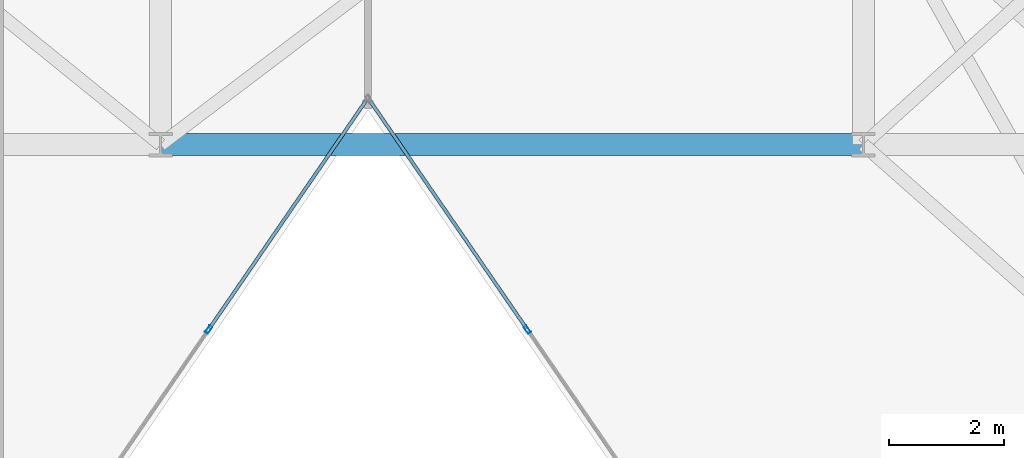
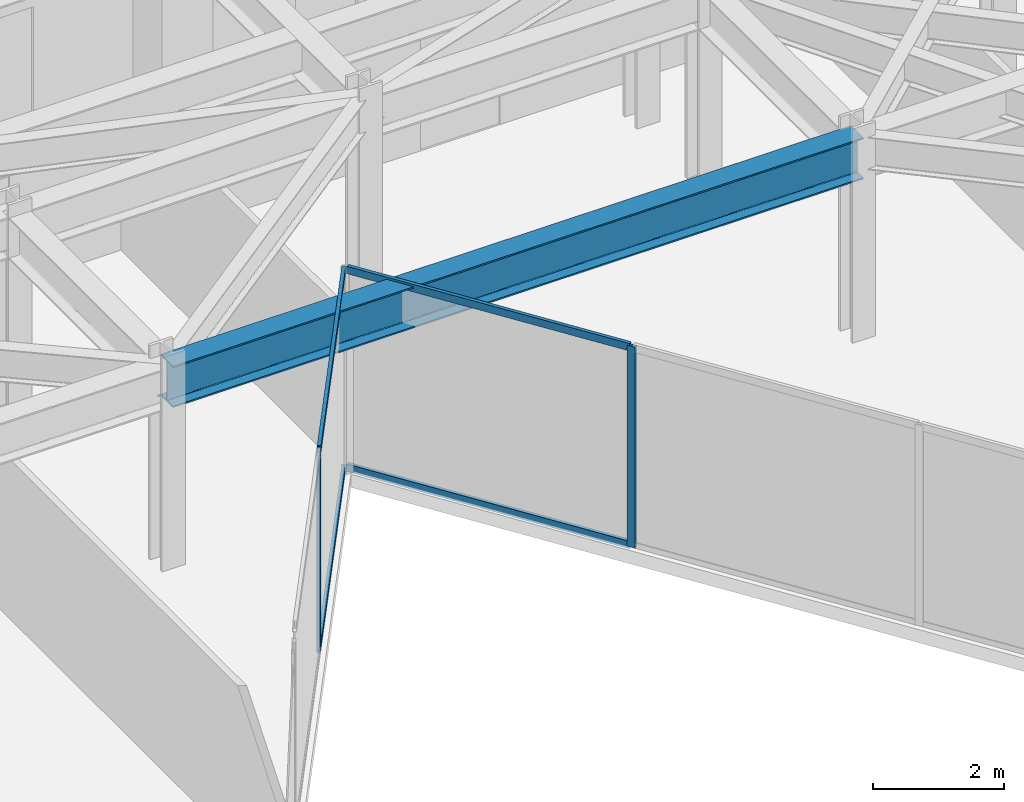
# One storey, part 6 of 21: 6 members, 1 beam, 2 elements without a shape of their own.
"""IFC4 building model written with IfcOpenShell, lengths in metres."""

import ifcopenshell
import ifcopenshell.guid

model = None  # the IFC model being written
_history = None  # IfcOwnerHistory: only IFC2X3 demands one
_inside = {}  # id of a spatial element -> (the spatial element, [elements in it])
_under = {}  # id of a project, library or spatial element -> (it, [spatial elements below it])
_declared = {}  # id of a project -> (the project, [libraries it declares])
_typed = {}  # id of a type object -> (the type object, [elements of that type])
_made_of = {}  # id of a material, layer set ... -> (it, [elements and type objects made of it])


def new_model(schema):
    """Start an empty IFC model of exactly this schema.

    Asked for "IFC4X3", IfcOpenShell would pick the latest addendum, in which some entities
    have other attributes; the version numbers below select the first issue.
    IFC2X3 requires an IfcOwnerHistory on every rooted entity: one is made here for all.
    """
    global model, _history
    if schema == "IFC4X3":
        model = ifcopenshell.file(schema_version=(4, 3, 0, 0))
    else:
        model = ifcopenshell.file(schema=schema)
    _inside.clear()
    _under.clear()
    _declared.clear()
    _typed.clear()
    _made_of.clear()
    _history = None
    if model.schema == "IFC2X3":
        org = make("IfcOrganization", Name="unknown")
        user = make(
            "IfcPersonAndOrganization",
            ThePerson=make("IfcPerson", FamilyName="unknown"),
            TheOrganization=org,
        )
        app = make(
            "IfcApplication",
            ApplicationDeveloper=org,
            Version="unknown",
            ApplicationFullName="unknown",
            ApplicationIdentifier="unknown",
        )
        _history = make(
            "IfcOwnerHistory",
            OwningUser=user,
            OwningApplication=app,
            ChangeAction="ADDED",
            CreationDate=0,
        )
    return model


def make(cls, **values):
    """One entity of the class cls with the attributes given. An attribute that is None is left unset."""
    return model.create_entity(
        cls, **{name: value for name, value in values.items() if value is not None}
    )


def rooted(cls, **values):
    """An entity with a GlobalId (a new one), such as an element, a storey or a relation."""
    return make(cls, GlobalId=ifcopenshell.guid.new(), OwnerHistory=_history, **values)


def si_unit(unit_type, name, prefix=None):
    """IfcSIUnit, for example si_unit("LENGTHUNIT", "METRE", prefix="MILLI")."""
    return make("IfcSIUnit", UnitType=unit_type, Prefix=prefix, Name=name)


def assignment(units):
    """IfcUnitAssignment: the units of a project."""
    return None if units is None else make("IfcUnitAssignment", Units=units)


def point(xyz):
    """IfcCartesianPoint."""
    return None if xyz is None else make("IfcCartesianPoint", Coordinates=xyz)


def direction(xyz):
    """IfcDirection."""
    return None if xyz is None else make("IfcDirection", DirectionRatios=xyz)


def frame(location, z_axis=None, x_axis=None):
    """IfcAxis2Placement3D, a coordinate frame: its origin and axes. An axis left out is left unset."""
    return make(
        "IfcAxis2Placement3D",
        Location=point(location),
        Axis=direction(z_axis),
        RefDirection=direction(x_axis),
    )


def frame_2d(location, x_axis=None):
    """IfcAxis2Placement2D, a coordinate frame in the plane: its origin and x axis."""
    return make(
        "IfcAxis2Placement2D", Location=point(location), RefDirection=direction(x_axis)
    )


def origin():
    """The frame at (0, 0, 0) with its axes left unset."""
    return frame((0.0, 0.0, 0.0))


def origin_2d():
    """The frame at (0, 0) in the plane with its x axis left unset."""
    return frame_2d((0.0, 0.0))


def place(relative_to, where):
    """IfcLocalPlacement: puts the frame where relative to a parent placement (None: the world)."""
    return make(
        "IfcLocalPlacement", PlacementRelTo=relative_to, RelativePlacement=where
    )


def context(
    kind, dimensions, precision=None, world=None, true_north=None, identifier=None
):
    """IfcGeometricRepresentationContext, for example the 3D "Model" context."""
    return make(
        "IfcGeometricRepresentationContext",
        ContextIdentifier=identifier,
        ContextType=kind,
        CoordinateSpaceDimension=dimensions,
        Precision=precision,
        WorldCoordinateSystem=world,
        TrueNorth=true_north,
    )


def subcontext(parent, identifier, kind, view, scale=None):
    """IfcGeometricRepresentationSubContext, for example "Body" below "Model"."""
    return make(
        "IfcGeometricRepresentationSubContext",
        ContextIdentifier=identifier,
        ContextType=kind,
        ParentContext=parent,
        TargetScale=scale,
        TargetView=view,
    )


def project(units=None, contexts=None):
    """IfcProject with its units and contexts."""
    return rooted(
        "IfcProject",
        Name="project",
        RepresentationContexts=contexts,
        UnitsInContext=assignment(units),
    )


def spatial(cls, under=None, at=None, **own):
    """A site, building, storey or space (cls), placed at a placement, below another one or the project."""
    s = rooted(cls, ObjectPlacement=at, **own)
    if under is not None:
        _under.setdefault(under.id(), (under, []))[1].append(s)
    return s


def profile(cls, at=None, kind="AREA", **sizes):
    """A parametric profile (cls). Its sizes go by their IFC names, for example OverallWidth=200.0."""
    return make(cls, ProfileType=kind, Position=at, **sizes)


def hollow_rectangle(**sizes):
    """IfcRectangleHollowProfileDef."""
    return profile("IfcRectangleHollowProfileDef", **sizes)


def i_section(**sizes):
    """IfcIShapeProfileDef."""
    return profile("IfcIShapeProfileDef", **sizes)


def extrude(swept, where, along, depth):
    """IfcExtrudedAreaSolid: the profile swept, set in the frame where, extruded along a direction by depth."""
    return make(
        "IfcExtrudedAreaSolid",
        SweptArea=swept,
        Position=where,
        ExtrudedDirection=direction(along),
        Depth=depth,
    )


def shape(context_of_items, identifier, shape_type, items):
    """IfcShapeRepresentation: the items that make up one representation, for example the "Body"."""
    return make(
        "IfcShapeRepresentation",
        ContextOfItems=context_of_items,
        RepresentationIdentifier=identifier,
        RepresentationType=shape_type,
        Items=items,
    )


def material(Name=None, Category=None):
    """IfcMaterial."""
    return make("IfcMaterial", Name=Name, Category=Category)


def layer(
    of_material, thickness, ventilated=None, Name=None, Category=None, Priority=None
):
    """IfcMaterialLayer: one layer of a wall or slab, of a material (None: an air gap)."""
    return make(
        "IfcMaterialLayer",
        Material=of_material,
        LayerThickness=thickness,
        IsVentilated=ventilated,
        Name=Name,
        Category=Category,
        Priority=Priority,
    )


def layer_set(layers, Name=None):
    """IfcMaterialLayerSet."""
    return make("IfcMaterialLayerSet", MaterialLayers=layers, LayerSetName=Name)


def material_profile(
    of_material, cross_section, Name=None, Category=None, Priority=None
):
    """IfcMaterialProfile: a cross section and its material."""
    return make(
        "IfcMaterialProfile",
        Name=Name,
        Material=of_material,
        Profile=cross_section,
        Priority=Priority,
        Category=Category,
    )


def profile_set(profiles, Name=None, composite=None):
    """IfcMaterialProfileSet."""
    return make(
        "IfcMaterialProfileSet",
        Name=Name,
        MaterialProfiles=profiles,
        CompositeProfile=composite,
    )


def made_of(thing, what):
    """Note that an element or type object is made of a material, layer set ...; save() writes the relation."""
    if what is not None:
        _made_of.setdefault(what.id(), (what, []))[1].append(thing)
    return thing


def type_object(cls, material=None, **own):
    """A type object (cls), such as IfcWallType, which elements share."""
    return made_of(rooted(cls, **own), material)


def element(
    cls,
    number,
    at=None,
    inside=None,
    cuts=None,
    type_object=None,
    material=None,
    context=None,
    identifier="Body",
    shape_type=None,
    held_by="IfcProductDefinitionShape",
    body=None,
    shapes=None,
    **own,
):
    """One element of the class cls, such as IfcWall. Its Tag is "e" and its number.

    at: its placement. inside: the storey or other place that contains it. cuts: it is an
    opening in that element (IfcRelVoidsElement). A single representation is given by context,
    identifier, shape_type and body (its items); several are given by shapes. held_by: the class
    of the entity that holds the representations. save() writes the other relations.
    """
    e = rooted(cls, Tag="e%d" % number, ObjectPlacement=at, **own)
    if body is not None:
        shapes = [shape(context, identifier, shape_type, body)]
    if shapes is not None:
        e.Representation = make(held_by, Representations=shapes)
    if inside is not None:
        _inside.setdefault(inside.id(), (inside, []))[1].append(e)
    if cuts is not None:
        rooted(
            "IfcRelVoidsElement", RelatingBuildingElement=cuts, RelatedOpeningElement=e
        )
    if type_object is not None:
        _typed.setdefault(type_object.id(), (type_object, []))[1].append(e)
    return made_of(e, material)


def aggregate(whole, parts):
    """IfcRelAggregates: a whole, such as a stair, and the parts it consists of."""
    return rooted("IfcRelAggregates", RelatingObject=whole, RelatedObjects=parts)


def save(model, path):
    """Write the relations noted so far, then the file.

    IfcRelAggregates (storeys below a building ...), IfcRelContainedInSpatialStructure (elements
    in a storey), IfcRelDefinesByType, IfcRelAssociatesMaterial and IfcRelDeclares: one each for
    every whole, place, type object, material and project.
    """
    for whole, parts in _under.values():
        aggregate(whole, parts)
    for where, things in _inside.values():
        rooted(
            "IfcRelContainedInSpatialStructure",
            RelatedElements=things,
            RelatingStructure=where,
        )
    for kind, things in _typed.values():
        rooted("IfcRelDefinesByType", RelatedObjects=things, RelatingType=kind)
    for what, things in _made_of.values():
        rooted("IfcRelAssociatesMaterial", RelatedObjects=things, RelatingMaterial=what)
    for by, libraries in _declared.values():
        rooted("IfcRelDeclares", RelatingContext=by, RelatedDefinitions=libraries)
    model.write(path)


model = new_model("IFC4")

# Units and contexts
model_context = context("Model", 3, precision=1e-05, world=origin(), true_north=direction((0.0, 1.0)))
body_context = subcontext(model_context, "Body", "Model", "MODEL_VIEW")
ifc_project = project(units=[si_unit("LENGTHUNIT", "METRE"), si_unit("AREAUNIT", "SQUARE_METRE"), si_unit("VOLUMEUNIT", "CUBIC_METRE"), si_unit("PLANEANGLEUNIT", "RADIAN"), si_unit("MASSUNIT", "GRAM", prefix="KILO")], contexts=[model_context])

# Site, building, storey
site_placement = place(None, origin())
site = spatial("IfcSite", under=ifc_project, at=site_placement, CompositionType="ELEMENT")
building_placement = place(site_placement, origin())
building = spatial("IfcBuilding", under=site, at=building_placement, Name="Kravanh Interchange Tower", CompositionType="ELEMENT")
storey_placement = place(building_placement, frame((0.0, 0.0, 168.5)))
storey = spatial("IfcBuildingStorey", under=building, at=storey_placement, Name="L40", CompositionType="ELEMENT", Elevation=168.5)

# Curtain wall, member
ifc_material_1 = material(Name="Anodised Bronze Aluminium", Category="aluminium")
ifc_layer = layer(ifc_material_1, 0.179931640625)
ifc_layer_set = layer_set([ifc_layer], Name="Unitised Curtain Wall System CW-Z3 Upper Office")
curtain_wall_type = type_object("IfcCurtainWallType", Name="Unitised Curtain Wall System CW-Z3 Upper Office", PredefinedType="NOTDEFINED", material=ifc_layer_set)
curtain_wall_1_placement = place(storey_placement, origin())
curtain_wall_1 = element("IfcCurtainWall", 1, at=curtain_wall_1_placement, inside=storey, type_object=curtain_wall_type, Name="L40 Unitised Curtain Wall CW-L40-03", PredefinedType="NOTDEFINED")
ifc_material_2 = material(Name="Anodised Bronze Aluminium", Category="aluminium")
ifc_material_profile_1 = material_profile(ifc_material_2, hollow_rectangle(XDim=0.06005859375, YDim=0.139892578125, WallThickness=0.00390625, at=origin_2d()), Name="ALU60X140X4")
ifc_profile_set_1 = profile_set([ifc_material_profile_1], Name="Anodised Bronze Aluminium")
member_type_1 = type_object("IfcMemberType", Name="Curtain Wall Mullion ALU60X140X4 Bronze", PredefinedType="MULLION", material=ifc_profile_set_1)
member_1_placement = place(storey_placement, frame((44.9658203125, 23.5888671875, 0.0), z_axis=(0.0, 0.0, 1.0), x_axis=(-0.824042223035, -0.566528388217, 0.0)))
member_1 = element("IfcMember", 2, at=member_1_placement, type_object=member_type_1, Name="CW-Z3 mullion 4", PredefinedType="MULLION", context=body_context, shape_type="SweptSolid", body=[
    extrude(hollow_rectangle(XDim=0.06005859375, YDim=0.139892578125, WallThickness=0.00390625, at=origin_2d()), origin(), (0.0, 0.0, 1.0), 3.7548828125),
])

curtain_wall_2_placement = place(storey_placement, origin())
curtain_wall_2 = element("IfcCurtainWall", 3, at=curtain_wall_2_placement, inside=storey, type_object=curtain_wall_type, Name="L40 Unitised Curtain Wall CW-L40-04", PredefinedType="NOTDEFINED")
member_2_placement = place(storey_placement, frame((39.434326171875, 23.5888671875, 0.0), z_axis=(0.0, 0.0, 1.0), x_axis=(0.824042223035, -0.566528388217, 0.0)))
member_2 = element("IfcMember", 4, at=member_2_placement, type_object=member_type_1, Name="CW-Z3 mullion 2", PredefinedType="MULLION", context=body_context, shape_type="SweptSolid", body=[
    extrude(hollow_rectangle(XDim=0.06005859375, YDim=0.139892578125, WallThickness=0.00390625, at=origin_2d()), origin(), (0.0, 0.0, 1.0), 3.7548828125),
])

# Member
ifc_material_3 = material(Name="Anodised Bronze Aluminium", Category="aluminium")
ifc_material_profile_2 = material_profile(ifc_material_3, hollow_rectangle(XDim=0.06005859375, YDim=0.139892578125, WallThickness=0.00390625, at=origin_2d()), Name="ALU60X140X4")
ifc_profile_set_2 = profile_set([ifc_material_profile_2], Name="Anodised Bronze Aluminium")
member_type_2 = type_object("IfcMemberType", Name="Curtain Wall Transom ALU60X140X4 Bronze", PredefinedType="USERDEFINED", material=ifc_profile_set_2)
member_3_placement = place(storey_placement, frame((44.94873046875, 23.613525390625, 0.030029296875), z_axis=(-0.566541796314, 0.824033004818, 0.0), x_axis=(-0.824033004818, -0.566541796314, 0.0)))
member_3 = element("IfcMember", 5, at=member_3_placement, type_object=member_type_2, Name="CW-Z3 transom 4.1", ObjectType="TRANSOM", PredefinedType="USERDEFINED", context=body_context, shape_type="SweptSolid", body=[
    extrude(hollow_rectangle(XDim=0.06005859375, YDim=0.139892578125, WallThickness=0.00390625, at=origin_2d()), origin(), (0.0, 0.0, 1.0), 4.7919921875),
])

member_4_placement = place(storey_placement, frame((44.94873046875, 23.613525390625, 3.72509765625), z_axis=(-0.566541796314, 0.824033004818, 0.0), x_axis=(-0.824033004818, -0.566541796314, 0.0)))
member_4 = element("IfcMember", 6, at=member_4_placement, type_object=member_type_2, Name="CW-Z3 transom 4.2", ObjectType="TRANSOM", PredefinedType="USERDEFINED", context=body_context, shape_type="SweptSolid", body=[
    extrude(hollow_rectangle(XDim=0.06005859375, YDim=0.139892578125, WallThickness=0.00390625, at=origin_2d()), origin(), (0.0, 0.0, 1.0), 4.7919921875),
])

aggregate(curtain_wall_1, [member_1, member_3, member_4])

member_5_placement = place(storey_placement, frame((42.166015625, 27.562255859375, 0.030029296875), z_axis=(-0.566541796314, -0.824033004818, 0.0), x_axis=(0.824033004818, -0.566541796314, 0.0)))
member_5 = element("IfcMember", 7, at=member_5_placement, type_object=member_type_2, Name="CW-Z3 transom 1.1", ObjectType="TRANSOM", PredefinedType="USERDEFINED", context=body_context, shape_type="SweptSolid", body=[
    extrude(hollow_rectangle(XDim=0.06005859375, YDim=0.139892578125, WallThickness=0.00390625, at=origin_2d()), origin(), (0.0, 0.0, 1.0), 4.7919921875),
])

member_6_placement = place(storey_placement, frame((42.166015625, 27.562255859375, 3.72509765625), z_axis=(-0.566541796314, -0.824033004818, 0.0), x_axis=(0.824033004818, -0.566541796314, 0.0)))
member_6 = element("IfcMember", 8, at=member_6_placement, type_object=member_type_2, Name="CW-Z3 transom 1.2", ObjectType="TRANSOM", PredefinedType="USERDEFINED", context=body_context, shape_type="SweptSolid", body=[
    extrude(hollow_rectangle(XDim=0.06005859375, YDim=0.139892578125, WallThickness=0.00390625, at=origin_2d()), origin(), (0.0, 0.0, 1.0), 4.7919921875),
])

aggregate(curtain_wall_2, [member_2, member_5, member_6])

# Beam
ifc_material_4 = material(Name="Structural Steel S355", Category="steel")
ifc_material_profile_3 = material_profile(ifc_material_4, i_section(OverallWidth=0.381103515625, OverallDepth=0.77294921875, WebThickness=0.0166015625, FlangeThickness=0.027099609375, FilletRadius=0.02490234375, at=origin_2d()), Name="W30X173")
ifc_profile_set_3 = profile_set([ifc_material_profile_3], Name="Structural Steel S355")
beam_type = type_object("IfcBeamType", Name="Floor Beam W30X173 Structural Steel S355", PredefinedType="BEAM", material=ifc_profile_set_3)
beam_placement = place(storey_placement, frame((38.60009765625, 26.800048828125, 3.368408203125), z_axis=(1.0, 0.0, 0.0), x_axis=(0.0, 1.0, 0.0)))
element("IfcBeam", 9, at=beam_placement, inside=storey, type_object=beam_type, Name="L40 Primary Floor Girder 48", PredefinedType="BEAM", context=body_context, shape_type="SweptSolid", body=[
    extrude(i_section(OverallWidth=0.381103515625, OverallDepth=0.77294921875, WebThickness=0.0166015625, FlangeThickness=0.027099609375, FilletRadius=0.02490234375, at=origin_2d()), origin(), (0.0, 0.0, 1.0), 12.199951171875),
])

save(model, "model.ifc")
